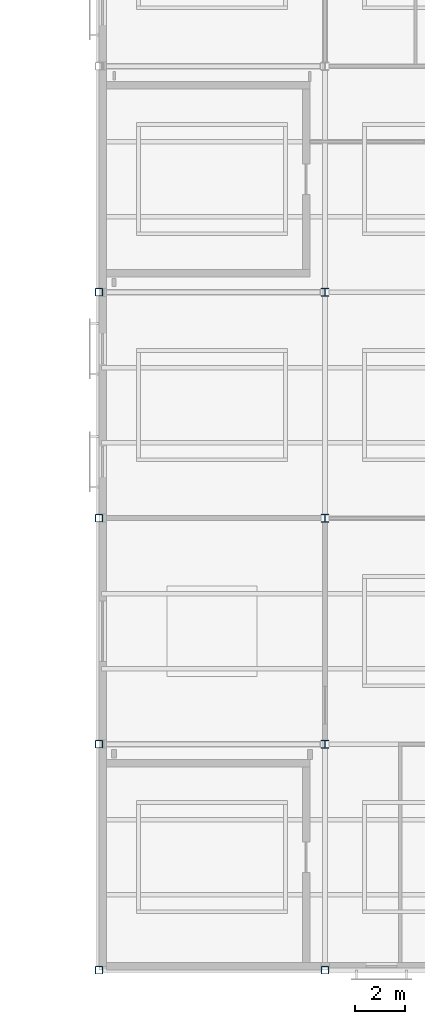
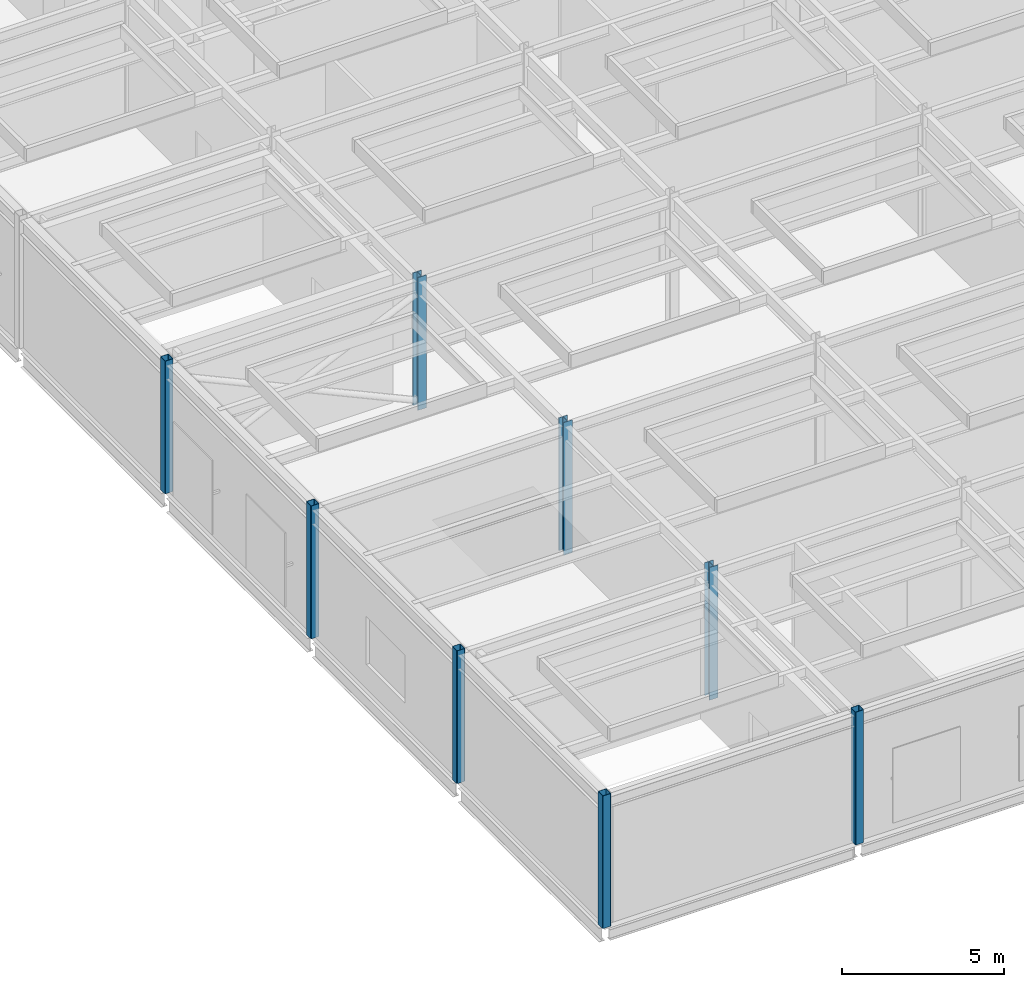
# One storey, part 1 of 115: 8 columns.
"""IFC4 building model written with IfcOpenShell, lengths in metres."""

from ifc_helpers import new_model, si_unit, direction, frame, origin, origin_2d, place, context, subcontext, project, spatial, hollow_rectangle, i_section, extrude, material, material_profile, profile_set, type_object, element, save


model = new_model("IFC4")

# Units and contexts
model_context = context("Model", 3, precision=1e-05, world=origin(), true_north=direction((0.0, 1.0)))
body_context = subcontext(model_context, "Body", "Model", "MODEL_VIEW")
ifc_project = project(units=[si_unit("LENGTHUNIT", "METRE"), si_unit("AREAUNIT", "SQUARE_METRE"), si_unit("VOLUMEUNIT", "CUBIC_METRE"), si_unit("PLANEANGLEUNIT", "RADIAN"), si_unit("MASSUNIT", "GRAM", prefix="KILO")], contexts=[model_context])

# Site, building, storey
site_placement = place(None, origin())
site = spatial("IfcSite", under=ifc_project, at=site_placement, CompositionType="ELEMENT")
building_placement = place(site_placement, origin())
building = spatial("IfcBuilding", under=site, at=building_placement, Name="Shorebreak Coast Museum", CompositionType="ELEMENT")
storey_placement = place(building_placement, frame((0.0, 0.0, 11.0)))
storey = spatial("IfcBuildingStorey", under=building, at=storey_placement, Name="L02", CompositionType="ELEMENT", Elevation=11.0)

# Columns
ifc_material_1 = material(Name="Steel Grade C450L0", Category="steel")
ifc_material_profile_1 = material_profile(ifc_material_1, hollow_rectangle(XDim=0.300048828125, YDim=0.300048828125, WallThickness=0.012451171875, InnerFilletRadius=0.018798828125, OuterFilletRadius=0.03125, at=origin_2d()), Name="300x300x12.5 SHS")
ifc_profile_set_1 = profile_set([ifc_material_profile_1], Name="Steel Grade C450L0")
column_type_1 = type_object("IfcColumnType", Name="Column 300x300x12.5 SHS", PredefinedType="COLUMN", material=ifc_profile_set_1)
for number, where, z_axis, x_axis, name in (
    (1, (54.0, 0.0, 0.0), (0.0, 0.0, 1.0), (1.0, 0.0, 0.0), "Column L02 7A"),
    (2, (63.0, 0.0, 0.0), (0.0, 0.0, 1.0), (1.0, 0.0, 0.0), "Column L02 8A"),
    (3, (54.0, 9.0, 0.0), (0.0, 0.0, 1.0), (1.0, 0.0, 0.0), "Column L02 7B"),
    (4, (54.0, 18.0, 0.0), (0.0, 0.0, 1.0), (1.0, 0.0, 0.0), "Column L02 7C"),
    (5, (54.0, 27.0, 0.0), (0.0, 0.0, 1.0), (1.0, 0.0, 0.0), "Column L02 7D"),
):
    element("IfcColumn", number, at=place(storey_placement, frame(where, z_axis=z_axis, x_axis=x_axis)), inside=storey, type_object=column_type_1, Name=name, PredefinedType="COLUMN", context=body_context, shape_type="SweptSolid", body=[
        extrude(hollow_rectangle(XDim=0.300048828125, YDim=0.300048828125, WallThickness=0.012451171875, InnerFilletRadius=0.018798828125, OuterFilletRadius=0.03125, at=origin_2d()), origin(), (0.0, 0.0, 1.0), 5.0),
    ])
ifc_material_2 = material(Name="Steel Grade 300", Category="steel")
ifc_material_profile_2 = material_profile(ifc_material_2, i_section(OverallWidth=0.306884765625, OverallDepth=0.314697265625, WebThickness=0.011962890625, FlangeThickness=0.018798828125, FilletRadius=0.0166015625, at=origin_2d()), Name="310UC118")
ifc_profile_set_2 = profile_set([ifc_material_profile_2], Name="Steel Grade 300")
column_type_2 = type_object("IfcColumnType", Name="Column 310UC118", PredefinedType="COLUMN", material=ifc_profile_set_2)
for number, where, z_axis, x_axis, name in (
    (6, (63.0, 9.0, 0.0), (0.0, 0.0, 1.0), (1.0, 0.0, 0.0), "Column L02 8B"),
    (7, (63.0, 18.0, 0.0), (0.0, 0.0, 1.0), (1.0, 0.0, 0.0), "Column L02 8C"),
    (8, (63.0, 27.0, 0.0), (0.0, 0.0, 1.0), (1.0, 0.0, 0.0), "Column L02 8D"),
):
    element("IfcColumn", number, at=place(storey_placement, frame(where, z_axis=z_axis, x_axis=x_axis)), inside=storey, type_object=column_type_2, Name=name, PredefinedType="COLUMN", context=body_context, shape_type="SweptSolid", body=[
        extrude(i_section(OverallWidth=0.306884765625, OverallDepth=0.314697265625, WebThickness=0.011962890625, FlangeThickness=0.018798828125, FilletRadius=0.0166015625, at=origin_2d()), origin(), (0.0, 0.0, 1.0), 5.0),
    ])

save(model, "model.ifc")
